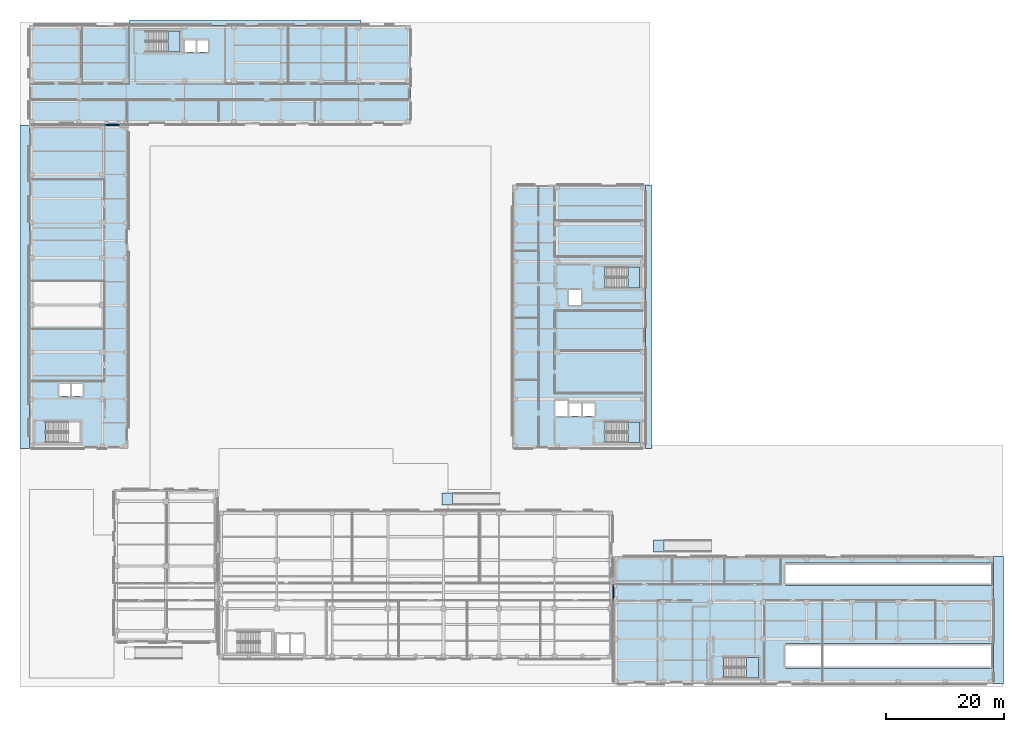
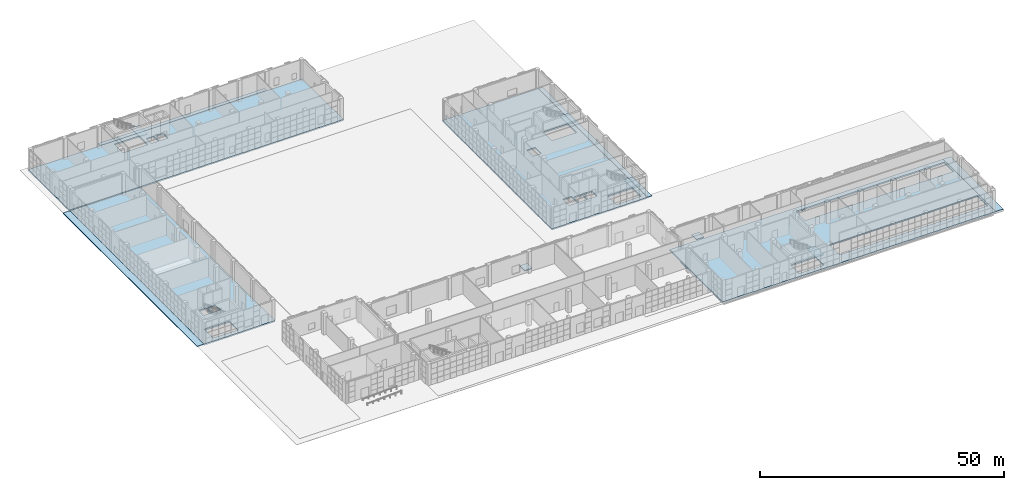
# One storey, part 7 of 40: 16 slabs, 6 elements without a shape of their own.
"""IFC4 building model written with IfcOpenShell, lengths in metres."""

from ifc_helpers import new_model, si_unit, direction, frame, origin, place, context, subcontext, project, spatial, polyline, outline, extrude, material, layer, layer_set, type_object, element, aggregate, save


model = new_model("IFC4")

# Units and contexts
model_context = context("Model", 3, precision=1e-05, world=origin(), true_north=direction((0.0, 1.0)))
body_context = subcontext(model_context, "Body", "Model", "MODEL_VIEW")
ifc_project = project(units=[si_unit("LENGTHUNIT", "METRE"), si_unit("AREAUNIT", "SQUARE_METRE"), si_unit("VOLUMEUNIT", "CUBIC_METRE"), si_unit("PLANEANGLEUNIT", "RADIAN"), si_unit("MASSUNIT", "GRAM", prefix="KILO")], contexts=[model_context])

# Site, building, storey
site_placement = place(None, origin())
site = spatial("IfcSite", under=ifc_project, at=site_placement, CompositionType="ELEMENT")
building_placement = place(site_placement, origin())
building = spatial("IfcBuilding", under=site, at=building_placement, Name="Qalavern Law Courts", CompositionType="ELEMENT")
storey_placement = place(building_placement, origin())
storey = spatial("IfcBuildingStorey", under=building, at=storey_placement, Name="L00", CompositionType="ELEMENT", Elevation=0.0)

# Slabs
ifc_material = material(Name="Concrete C35/45", Category="concrete")
ifc_layer_1 = layer(ifc_material, 0.205078125)
ifc_layer_set_1 = layer_set([ifc_layer_1], Name="Concrete C35/45")
slab_type_1 = type_object("IfcSlabType", Name="ARCH-APRON-200", PredefinedType="FLOOR", material=ifc_layer_set_1)
slab_1_placement = place(storey_placement, frame((0.0, 0.0, -0.205078125)))
element("IfcSlab", 1, at=slab_1_placement, inside=storey, type_object=slab_type_1, Name="East service and vehicle-ramp driveway apron", PredefinedType="FLOOR", context=body_context, shape_type="SweptSolid", body=[
    extrude(outline(polyline([(166.0, 1.0), (167.800048828125, 1.0), (167.800048828125, 22.60009765625), (166.0, 22.60009765625), (166.0, 1.0)])), origin(), (0.0, 0.0, 1.0), 0.205078125),
])
slab_2_placement = place(storey_placement, frame((0.0, 0.0, -0.205078125)))
element("IfcSlab", 2, at=slab_2_placement, inside=storey, type_object=slab_type_1, Name="North Law Library street entrance apron", PredefinedType="FLOOR", context=body_context, shape_type="SweptSolid", body=[
    extrude(outline(polyline([(19.02001953125, 113.0), (58.39990234375, 113.0), (58.39990234375, 113.89990234375), (19.02001953125, 113.89990234375), (19.02001953125, 113.0)])), origin(), (0.0, 0.0, 1.0), 0.205078125),
])
slab_3_placement = place(storey_placement, frame((0.0, 0.0, -0.205078125)))
element("IfcSlab", 3, at=slab_3_placement, inside=storey, type_object=slab_type_1, Name="West fire-appliance and exit sidewalk apron", PredefinedType="FLOOR", context=body_context, shape_type="SweptSolid", body=[
    extrude(outline(polyline([(0.39990234375, 41.02001953125), (2.0, 41.02001953125), (2.0, 95.97998046875), (0.39990234375, 95.97998046875), (0.39990234375, 41.02001953125)])), origin(), (0.0, 0.0, 1.0), 0.205078125),
])
slab_4_placement = place(storey_placement, frame((0.0, 0.0, -0.205078125)))
element("IfcSlab", 4, at=slab_4_placement, inside=storey, type_object=slab_type_1, Name="East Civil Wing exit walkway apron", PredefinedType="FLOOR", context=body_context, shape_type="SweptSolid", body=[
    extrude(outline(polyline([(106.800048828125, 41.02001953125), (107.89990234375, 41.02001953125), (107.89990234375, 85.800048828125), (106.800048828125, 85.800048828125), (106.800048828125, 41.02001953125)])), origin(), (0.0, 0.0, 1.0), 0.205078125),
])

# Stair, slab
stair_type_1 = type_object("IfcStairType", Name="INT-STAIR-1700", PredefinedType="HALF_TURN_STAIR", material=ifc_material)
stair_1_placement = place(storey_placement, origin())
stair_1 = element("IfcStair", 5, at=stair_1_placement, inside=storey, type_object=stair_type_1, Name="L00 ST-K1A", PredefinedType="HALF_TURN_STAIR")
ifc_layer_2 = layer(ifc_material, 0.199951171875)
ifc_layer_set_2 = layer_set([ifc_layer_2], Name="Concrete C35/45")
slab_type_2 = type_object("IfcSlabType", Name="INT-LANDING-200", PredefinedType="LANDING", material=ifc_layer_set_2)
slab_5_placement = place(storey_placement, frame((0.0, 0.0, 2.5)))
slab_5 = element("IfcSlab", 6, at=slab_5_placement, type_object=slab_type_2, Name="ST-K1A landing 1", PredefinedType="LANDING", context=body_context, shape_type="SweptSolid", body=[
    extrude(outline(polyline([(103.820068359375, 42.0), (105.800048828125, 42.0), (105.800048828125, 45.550048828125), (103.820068359375, 45.550048828125), (103.820068359375, 42.0)])), origin(), (0.0, 0.0, 1.0), 0.199951171875),
])
aggregate(stair_1, [slab_5])

stair_2_placement = place(storey_placement, origin())
stair_2 = element("IfcStair", 7, at=stair_2_placement, inside=storey, type_object=stair_type_1, Name="L00 ST-K1B", PredefinedType="HALF_TURN_STAIR")
slab_6_placement = place(storey_placement, frame((0.0, 0.0, 2.5)))
slab_6 = element("IfcSlab", 8, at=slab_6_placement, type_object=slab_type_2, Name="ST-K1B landing 1", PredefinedType="LANDING", context=body_context, shape_type="SweptSolid", body=[
    extrude(outline(polyline([(103.820068359375, 68.300048828125), (105.800048828125, 68.300048828125), (105.800048828125, 71.85009765625), (103.820068359375, 71.85009765625), (103.820068359375, 68.300048828125)])), origin(), (0.0, 0.0, 1.0), 0.199951171875),
])
aggregate(stair_2, [slab_6])

stair_3_placement = place(storey_placement, origin())
stair_3 = element("IfcStair", 9, at=stair_3_placement, inside=storey, type_object=stair_type_1, Name="L00 ST-K3", PredefinedType="HALF_TURN_STAIR")
slab_7_placement = place(storey_placement, frame((0.0, 0.0, 2.5)))
slab_7 = element("IfcSlab", 10, at=slab_7_placement, type_object=slab_type_2, Name="ST-K3 landing 1", PredefinedType="LANDING", context=body_context, shape_type="SweptSolid", body=[
    extrude(outline(polyline([(25.6201171875, 108.449951171875), (27.60009765625, 108.449951171875), (27.60009765625, 112.0), (25.6201171875, 112.0), (25.6201171875, 108.449951171875)])), origin(), (0.0, 0.0, 1.0), 0.199951171875),
])
aggregate(stair_3, [slab_7])

stair_type_2 = type_object("IfcStairType", Name="INT-STAIR-1650", PredefinedType="HALF_TURN_STAIR", material=ifc_material)
stair_4_placement = place(storey_placement, origin())
stair_4 = element("IfcStair", 11, at=stair_4_placement, inside=storey, type_object=stair_type_2, Name="L00 ST-K5", PredefinedType="HALF_TURN_STAIR")
slab_8_placement = place(storey_placement, frame((0.0, 0.0, 2.5)))
slab_8 = element("IfcSlab", 12, at=slab_8_placement, type_object=slab_type_2, Name="ST-K5 landing 1", PredefinedType="LANDING", context=body_context, shape_type="SweptSolid", body=[
    extrude(outline(polyline([(123.969970703125, 2.0), (126.0, 2.0), (126.0, 5.449951171875), (123.969970703125, 5.449951171875), (123.969970703125, 2.0)])), origin(), (0.0, 0.0, 1.0), 0.199951171875),
])
aggregate(stair_4, [slab_8])

# Ramp, slab
ramp_type = type_object("IfcRampType", Name="INT-RAMP-PED", PredefinedType="STRAIGHT_RUN_RAMP", material=ifc_material)
ramp_1_placement = place(storey_placement, origin())
ramp_1 = element("IfcRamp", 13, at=ramp_1_placement, inside=storey, type_object=ramp_type, Name="Public Hall Forecourt Accessible Pedestrian Ramp", PredefinedType="STRAIGHT_RUN_RAMP")
ifc_layer_3 = layer(ifc_material, 0.215087890625)
ifc_layer_set_3 = layer_set([ifc_layer_3], Name="Concrete C35/45")
slab_type_3 = type_object("IfcSlabType", Name="INT-LANDING-215", PredefinedType="LANDING", material=ifc_layer_set_3)
slab_9_placement = place(storey_placement, frame((0.0, 0.0, -0.56494140625)))
slab_9 = element("IfcSlab", 14, at=slab_9_placement, type_object=slab_type_3, Name="Public Hall Forecourt Accessible Pedestrian Ramp bottom landing", PredefinedType="LANDING", context=body_context, shape_type="SweptSolid", body=[
    extrude(outline(polyline([(108.199951171875, 23.39990234375), (110.0, 23.39990234375), (110.0, 25.39990234375), (108.199951171875, 25.39990234375), (108.199951171875, 23.39990234375)])), origin(), (0.0, 0.0, 1.0), 0.21484375),
])
aggregate(ramp_1, [slab_9])

ramp_2_placement = place(storey_placement, origin())
ramp_2 = element("IfcRamp", 15, at=ramp_2_placement, inside=storey, type_object=ramp_type, Name="Inner Courtyard Accessible Pedestrian Ramp", PredefinedType="STRAIGHT_RUN_RAMP")
slab_10_placement = place(storey_placement, frame((0.0, 0.0, -0.56494140625)))
slab_10 = element("IfcSlab", 16, at=slab_10_placement, type_object=slab_type_3, Name="Inner Courtyard Accessible Pedestrian Ramp bottom landing", PredefinedType="LANDING", context=body_context, shape_type="SweptSolid", body=[
    extrude(outline(polyline([(72.199951171875, 31.39990234375), (74.0, 31.39990234375), (74.0, 33.39990234375), (72.199951171875, 33.39990234375), (72.199951171875, 31.39990234375)])), origin(), (0.0, 0.0, 1.0), 0.21484375),
])
aggregate(ramp_2, [slab_10])

# Slabs
ifc_layer_4 = layer(ifc_material, 0.340087890625)
ifc_layer_set_4 = layer_set([ifc_layer_4], Name="Concrete C35/45")
slab_type_4 = type_object("IfcSlabType", Name="STR-SLB-L00-340", PredefinedType="FLOOR", material=ifc_layer_set_4)
slab_11_placement = place(storey_placement, frame((0.0, 0.0, -0.340087890625)))
element("IfcSlab", 17, at=slab_11_placement, inside=storey, type_object=slab_type_4, Name="V3 floor slab L00", PredefinedType="FLOOR", context=body_context, shape_type="SweptSolid", body=[
    extrude(outline(polyline([(2.0, 41.02001953125), (18.800048828125, 41.02001953125), (18.800048828125, 95.97998046875), (2.0, 95.97998046875), (2.0, 41.02001953125)]), holes=[polyline([(4.739990234375, 42.0), (10.60009765625, 42.0), (10.60009765625, 45.550048828125), (4.739990234375, 45.550048828125), (4.739990234375, 42.0)]), polyline([(7.10009765625, 49.949951171875), (8.89990234375, 49.949951171875), (8.89990234375, 51.949951171875), (7.10009765625, 51.949951171875), (7.10009765625, 49.949951171875)]), polyline([(9.199951171875, 49.949951171875), (11.0, 49.949951171875), (11.0, 51.949951171875), (9.199951171875, 51.949951171875), (9.199951171875, 49.949951171875)])]), origin(), (0.0, 0.0, 1.0), 0.340087890625),
])
slab_12_placement = place(storey_placement, frame((0.0, 0.0, -0.340087890625)))
element("IfcSlab", 18, at=slab_12_placement, inside=storey, type_object=slab_type_4, Name="V4 floor slab L00", PredefinedType="FLOOR", context=body_context, shape_type="SweptSolid", body=[
    extrude(outline(polyline([(84.199951171875, 41.02001953125), (106.800048828125, 41.02001953125), (106.800048828125, 85.800048828125), (84.199951171875, 85.800048828125), (84.199951171875, 41.02001953125)]), holes=[polyline([(99.93994140625, 42.0), (105.800048828125, 42.0), (105.800048828125, 45.550048828125), (99.93994140625, 45.550048828125), (99.93994140625, 42.0)]), polyline([(91.5, 46.550048828125), (93.5, 46.550048828125), (93.5, 49.050048828125), (91.5, 49.050048828125), (91.5, 46.550048828125)]), polyline([(93.800048828125, 46.550048828125), (95.800048828125, 46.550048828125), (95.800048828125, 48.64990234375), (93.800048828125, 48.64990234375), (93.800048828125, 46.550048828125)]), polyline([(96.10009765625, 46.550048828125), (98.10009765625, 46.550048828125), (98.10009765625, 48.64990234375), (96.10009765625, 48.64990234375), (96.10009765625, 46.550048828125)]), polyline([(99.93994140625, 68.300048828125), (105.800048828125, 68.300048828125), (105.800048828125, 71.85009765625), (99.93994140625, 71.85009765625), (99.93994140625, 68.300048828125)]), polyline([(93.800048828125, 65.449951171875), (95.800048828125, 65.449951171875), (95.800048828125, 67.949951171875), (93.800048828125, 67.949951171875), (93.800048828125, 65.449951171875)])]), origin(), (0.0, 0.0, 1.0), 0.340087890625),
])
slab_13_placement = place(storey_placement, frame((0.0, 0.0, -0.340087890625)))
element("IfcSlab", 19, at=slab_13_placement, inside=storey, type_object=slab_type_4, Name="V5 floor slab L00", PredefinedType="FLOOR", context=body_context, shape_type="SweptSolid", body=[
    extrude(outline(polyline([(2.0, 96.199951171875), (66.800048828125, 96.199951171875), (66.800048828125, 113.0), (2.0, 113.0), (2.0, 96.199951171875)]), holes=[polyline([(21.739990234375, 108.449951171875), (27.60009765625, 108.449951171875), (27.60009765625, 112.0), (21.739990234375, 112.0), (21.739990234375, 108.449951171875)]), polyline([(28.449951171875, 108.449951171875), (30.25, 108.449951171875), (30.25, 110.449951171875), (28.449951171875, 110.449951171875), (28.449951171875, 108.449951171875)]), polyline([(30.60009765625, 108.449951171875), (32.39990234375, 108.449951171875), (32.39990234375, 110.449951171875), (30.60009765625, 110.449951171875), (30.60009765625, 108.449951171875)])]), origin(), (0.0, 0.0, 1.0), 0.340087890625),
])
slab_14_placement = place(storey_placement, frame((0.0, 0.0, -0.340087890625)))
element("IfcSlab", 20, at=slab_14_placement, inside=storey, type_object=slab_type_4, Name="V6 floor slab L00", PredefinedType="FLOOR", context=body_context, shape_type="SweptSolid", body=[
    extrude(outline(polyline([(101.419921875, 1.0), (166.0, 1.0), (166.0, 22.60009765625), (101.419921875, 22.60009765625), (101.419921875, 1.0)]), holes=[polyline([(120.090087890625, 2.0), (126.0, 2.0), (126.0, 5.449951171875), (120.090087890625, 5.449951171875), (120.090087890625, 2.0)]), polyline([(130.60009765625, 17.699951171875), (165.64990234375, 17.699951171875), (165.64990234375, 21.5), (130.60009765625, 21.5), (130.60009765625, 17.699951171875)]), polyline([(130.60009765625, 3.60009765625), (165.64990234375, 3.60009765625), (165.64990234375, 7.800048828125), (130.60009765625, 7.800048828125), (130.60009765625, 3.60009765625)])]), origin(), (0.0, 0.0, 1.0), 0.340087890625),
])
slab_15_placement = place(storey_placement, frame((0.0, 0.0, -0.340087890625)))
element("IfcSlab", 21, at=slab_15_placement, inside=storey, type_object=slab_type_4, Name="Bridge BR-V2-V6 deck slab L00", PredefinedType="FLOOR", context=body_context, shape_type="SweptSolid", body=[
    extrude(outline(polyline([(101.199951171875, 15.199951171875), (101.419921875, 15.199951171875), (101.419921875, 17.800048828125), (101.199951171875, 17.800048828125), (101.199951171875, 15.199951171875)])), origin(), (0.0, 0.0, 1.0), 0.340087890625),
])
slab_16_placement = place(storey_placement, frame((0.0, 0.0, -0.340087890625)))
element("IfcSlab", 22, at=slab_16_placement, inside=storey, type_object=slab_type_4, Name="Bridge BR-V3-V5 deck slab L00", PredefinedType="FLOOR", context=body_context, shape_type="SweptSolid", body=[
    extrude(outline(polyline([(14.85009765625, 95.97998046875), (17.449951171875, 95.97998046875), (17.449951171875, 96.199951171875), (14.85009765625, 96.199951171875), (14.85009765625, 95.97998046875)])), origin(), (0.0, 0.0, 1.0), 0.340087890625),
])

save(model, "model.ifc")
